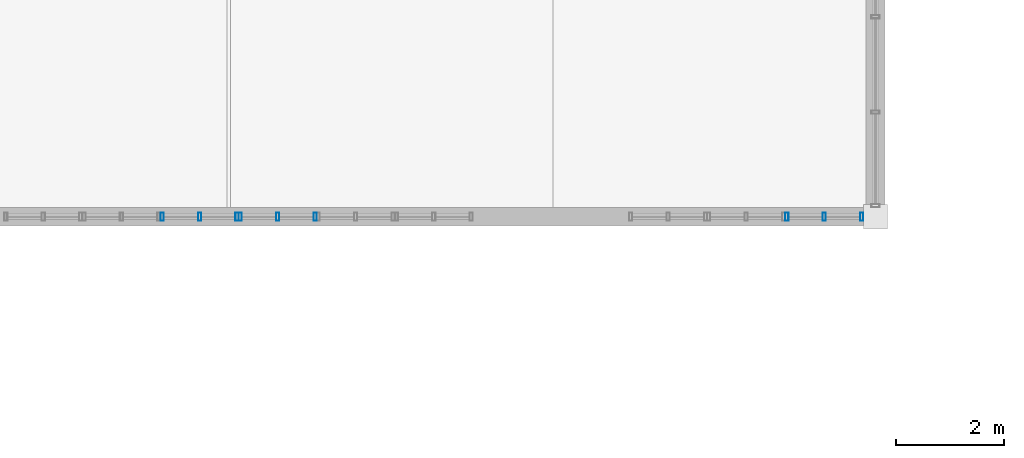
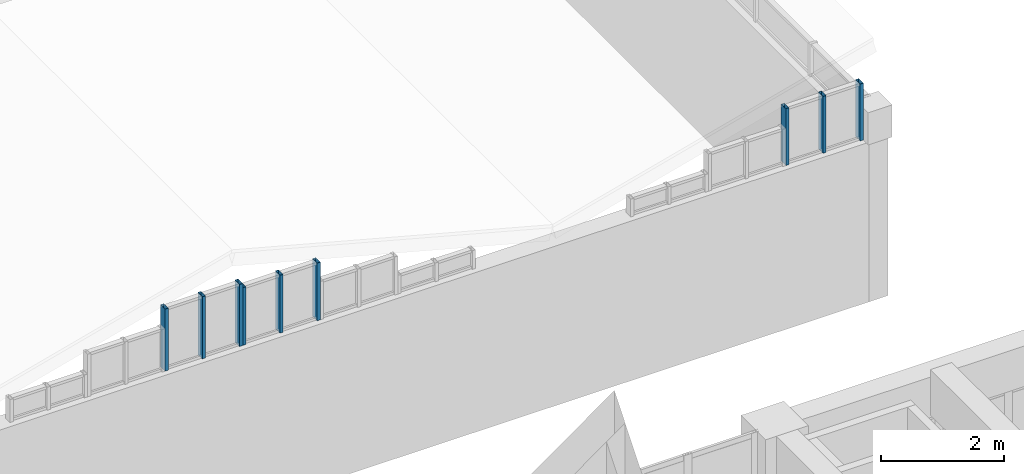
# One storey, part 23 of 92: 9 members, 3 elements without a shape of their own.
"""IFC4 building model written with IfcOpenShell, lengths in metres."""

import ifcopenshell
import ifcopenshell.guid

model = None  # the IFC model being written
_history = None  # IfcOwnerHistory: only IFC2X3 demands one
_inside = {}  # id of a spatial element -> (the spatial element, [elements in it])
_under = {}  # id of a project, library or spatial element -> (it, [spatial elements below it])
_declared = {}  # id of a project -> (the project, [libraries it declares])
_typed = {}  # id of a type object -> (the type object, [elements of that type])
_made_of = {}  # id of a material, layer set ... -> (it, [elements and type objects made of it])


def new_model(schema):
    """Start an empty IFC model of exactly this schema.

    Asked for "IFC4X3", IfcOpenShell would pick the latest addendum, in which some entities
    have other attributes; the version numbers below select the first issue.
    IFC2X3 requires an IfcOwnerHistory on every rooted entity: one is made here for all.
    """
    global model, _history
    if schema == "IFC4X3":
        model = ifcopenshell.file(schema_version=(4, 3, 0, 0))
    else:
        model = ifcopenshell.file(schema=schema)
    _inside.clear()
    _under.clear()
    _declared.clear()
    _typed.clear()
    _made_of.clear()
    _history = None
    if model.schema == "IFC2X3":
        org = make("IfcOrganization", Name="unknown")
        user = make(
            "IfcPersonAndOrganization",
            ThePerson=make("IfcPerson", FamilyName="unknown"),
            TheOrganization=org,
        )
        app = make(
            "IfcApplication",
            ApplicationDeveloper=org,
            Version="unknown",
            ApplicationFullName="unknown",
            ApplicationIdentifier="unknown",
        )
        _history = make(
            "IfcOwnerHistory",
            OwningUser=user,
            OwningApplication=app,
            ChangeAction="ADDED",
            CreationDate=0,
        )
    return model


def make(cls, **values):
    """One entity of the class cls with the attributes given. An attribute that is None is left unset."""
    return model.create_entity(
        cls, **{name: value for name, value in values.items() if value is not None}
    )


def rooted(cls, **values):
    """An entity with a GlobalId (a new one), such as an element, a storey or a relation."""
    return make(cls, GlobalId=ifcopenshell.guid.new(), OwnerHistory=_history, **values)


def si_unit(unit_type, name, prefix=None):
    """IfcSIUnit, for example si_unit("LENGTHUNIT", "METRE", prefix="MILLI")."""
    return make("IfcSIUnit", UnitType=unit_type, Prefix=prefix, Name=name)


def assignment(units):
    """IfcUnitAssignment: the units of a project."""
    return None if units is None else make("IfcUnitAssignment", Units=units)


def point(xyz):
    """IfcCartesianPoint."""
    return None if xyz is None else make("IfcCartesianPoint", Coordinates=xyz)


def direction(xyz):
    """IfcDirection."""
    return None if xyz is None else make("IfcDirection", DirectionRatios=xyz)


def frame(location, z_axis=None, x_axis=None):
    """IfcAxis2Placement3D, a coordinate frame: its origin and axes. An axis left out is left unset."""
    return make(
        "IfcAxis2Placement3D",
        Location=point(location),
        Axis=direction(z_axis),
        RefDirection=direction(x_axis),
    )


def frame_2d(location, x_axis=None):
    """IfcAxis2Placement2D, a coordinate frame in the plane: its origin and x axis."""
    return make(
        "IfcAxis2Placement2D", Location=point(location), RefDirection=direction(x_axis)
    )


def origin():
    """The frame at (0, 0, 0) with its axes left unset."""
    return frame((0.0, 0.0, 0.0))


def origin_2d():
    """The frame at (0, 0) in the plane with its x axis left unset."""
    return frame_2d((0.0, 0.0))


def place(relative_to, where):
    """IfcLocalPlacement: puts the frame where relative to a parent placement (None: the world)."""
    return make(
        "IfcLocalPlacement", PlacementRelTo=relative_to, RelativePlacement=where
    )


def context(
    kind, dimensions, precision=None, world=None, true_north=None, identifier=None
):
    """IfcGeometricRepresentationContext, for example the 3D "Model" context."""
    return make(
        "IfcGeometricRepresentationContext",
        ContextIdentifier=identifier,
        ContextType=kind,
        CoordinateSpaceDimension=dimensions,
        Precision=precision,
        WorldCoordinateSystem=world,
        TrueNorth=true_north,
    )


def subcontext(parent, identifier, kind, view, scale=None):
    """IfcGeometricRepresentationSubContext, for example "Body" below "Model"."""
    return make(
        "IfcGeometricRepresentationSubContext",
        ContextIdentifier=identifier,
        ContextType=kind,
        ParentContext=parent,
        TargetScale=scale,
        TargetView=view,
    )


def project(units=None, contexts=None):
    """IfcProject with its units and contexts."""
    return rooted(
        "IfcProject",
        Name="project",
        RepresentationContexts=contexts,
        UnitsInContext=assignment(units),
    )


def spatial(cls, under=None, at=None, **own):
    """A site, building, storey or space (cls), placed at a placement, below another one or the project."""
    s = rooted(cls, ObjectPlacement=at, **own)
    if under is not None:
        _under.setdefault(under.id(), (under, []))[1].append(s)
    return s


def profile(cls, at=None, kind="AREA", **sizes):
    """A parametric profile (cls). Its sizes go by their IFC names, for example OverallWidth=200.0."""
    return make(cls, ProfileType=kind, Position=at, **sizes)


def hollow_rectangle(**sizes):
    """IfcRectangleHollowProfileDef."""
    return profile("IfcRectangleHollowProfileDef", **sizes)


def extrude(swept, where, along, depth):
    """IfcExtrudedAreaSolid: the profile swept, set in the frame where, extruded along a direction by depth."""
    return make(
        "IfcExtrudedAreaSolid",
        SweptArea=swept,
        Position=where,
        ExtrudedDirection=direction(along),
        Depth=depth,
    )


def shape(context_of_items, identifier, shape_type, items):
    """IfcShapeRepresentation: the items that make up one representation, for example the "Body"."""
    return make(
        "IfcShapeRepresentation",
        ContextOfItems=context_of_items,
        RepresentationIdentifier=identifier,
        RepresentationType=shape_type,
        Items=items,
    )


def material(Name=None, Category=None):
    """IfcMaterial."""
    return make("IfcMaterial", Name=Name, Category=Category)


def material_profile(
    of_material, cross_section, Name=None, Category=None, Priority=None
):
    """IfcMaterialProfile: a cross section and its material."""
    return make(
        "IfcMaterialProfile",
        Name=Name,
        Material=of_material,
        Profile=cross_section,
        Priority=Priority,
        Category=Category,
    )


def profile_set(profiles, Name=None, composite=None):
    """IfcMaterialProfileSet."""
    return make(
        "IfcMaterialProfileSet",
        Name=Name,
        MaterialProfiles=profiles,
        CompositeProfile=composite,
    )


def made_of(thing, what):
    """Note that an element or type object is made of a material, layer set ...; save() writes the relation."""
    if what is not None:
        _made_of.setdefault(what.id(), (what, []))[1].append(thing)
    return thing


def type_object(cls, material=None, **own):
    """A type object (cls), such as IfcWallType, which elements share."""
    return made_of(rooted(cls, **own), material)


def element(
    cls,
    number,
    at=None,
    inside=None,
    cuts=None,
    type_object=None,
    material=None,
    context=None,
    identifier="Body",
    shape_type=None,
    held_by="IfcProductDefinitionShape",
    body=None,
    shapes=None,
    **own,
):
    """One element of the class cls, such as IfcWall. Its Tag is "e" and its number.

    at: its placement. inside: the storey or other place that contains it. cuts: it is an
    opening in that element (IfcRelVoidsElement). A single representation is given by context,
    identifier, shape_type and body (its items); several are given by shapes. held_by: the class
    of the entity that holds the representations. save() writes the other relations.
    """
    e = rooted(cls, Tag="e%d" % number, ObjectPlacement=at, **own)
    if body is not None:
        shapes = [shape(context, identifier, shape_type, body)]
    if shapes is not None:
        e.Representation = make(held_by, Representations=shapes)
    if inside is not None:
        _inside.setdefault(inside.id(), (inside, []))[1].append(e)
    if cuts is not None:
        rooted(
            "IfcRelVoidsElement", RelatingBuildingElement=cuts, RelatedOpeningElement=e
        )
    if type_object is not None:
        _typed.setdefault(type_object.id(), (type_object, []))[1].append(e)
    return made_of(e, material)


def aggregate(whole, parts):
    """IfcRelAggregates: a whole, such as a stair, and the parts it consists of."""
    return rooted("IfcRelAggregates", RelatingObject=whole, RelatedObjects=parts)


def save(model, path):
    """Write the relations noted so far, then the file.

    IfcRelAggregates (storeys below a building ...), IfcRelContainedInSpatialStructure (elements
    in a storey), IfcRelDefinesByType, IfcRelAssociatesMaterial and IfcRelDeclares: one each for
    every whole, place, type object, material and project.
    """
    for whole, parts in _under.values():
        aggregate(whole, parts)
    for where, things in _inside.values():
        rooted(
            "IfcRelContainedInSpatialStructure",
            RelatedElements=things,
            RelatingStructure=where,
        )
    for kind, things in _typed.values():
        rooted("IfcRelDefinesByType", RelatedObjects=things, RelatingType=kind)
    for what, things in _made_of.values():
        rooted("IfcRelAssociatesMaterial", RelatedObjects=things, RelatingMaterial=what)
    for by, libraries in _declared.values():
        rooted("IfcRelDeclares", RelatingContext=by, RelatedDefinitions=libraries)
    model.write(path)


model = new_model("IFC4")

# Units and contexts
model_context = context("Model", 3, precision=1e-05, world=origin(), true_north=direction((0.0, 1.0)))
body_context = subcontext(model_context, "Body", "Model", "MODEL_VIEW")
ifc_project = project(units=[si_unit("LENGTHUNIT", "METRE"), si_unit("AREAUNIT", "SQUARE_METRE"), si_unit("VOLUMEUNIT", "CUBIC_METRE"), si_unit("PLANEANGLEUNIT", "RADIAN"), si_unit("MASSUNIT", "GRAM", prefix="KILO")], contexts=[model_context])

# Site, building, storey
site_placement = place(None, origin())
site = spatial("IfcSite", under=ifc_project, at=site_placement, CompositionType="ELEMENT")
building_placement = place(site_placement, origin())
building = spatial("IfcBuilding", under=site, at=building_placement, Name="Laocheng Heights Fire and Rescue Headquarters", CompositionType="ELEMENT")
storey_placement = place(building_placement, frame((0.0, 0.0, 12.60009765625)))
storey = spatial("IfcBuildingStorey", under=building, at=storey_placement, Name="L03", CompositionType="ELEMENT", Elevation=12.60009765625)

# Curtain wall, members
ifc_material_1 = material(Name="Dark anodised aluminium unitised curtain wall, low-e double glazing", Category="aluminium")
curtain_wall_type_1 = type_object("IfcCurtainWallType", Name="CW 1452 x 1228 THEATRE GABLE UNIT", PredefinedType="NOTDEFINED", material=ifc_material_1)
curtain_wall_1_placement = place(storey_placement, origin())
curtain_wall_1 = element("IfcCurtainWall", 1, at=curtain_wall_1_placement, inside=storey, type_object=curtain_wall_type_1, Name="X8-V THEATRE SOUTH GABLE 4", PredefinedType="NOTDEFINED")
ifc_material_2 = material(Name="Dark anodised aluminium 6063-T5 extrusion", Category="aluminium")
ifc_material_profile = material_profile(ifc_material_2, hollow_rectangle(XDim=0.14990234375, YDim=0.06005859375, WallThickness=0.0029296875, at=origin_2d()), Name="AL MULLION 150x60x3 THEATRE GABLE UNIT")
ifc_profile_set = profile_set([ifc_material_profile], Name="Dark anodised aluminium 6063-T5 extrusion")
member_type = type_object("IfcMemberType", Name="AL MULLION 150x60x3 THEATRE GABLE UNIT", PredefinedType="MULLION", material=ifc_profile_set)
member_1_placement = place(storey_placement, frame((16.736083984375, 36.0, 3.158447265625), z_axis=(0.0, 0.0, 1.0), x_axis=(0.0, 1.0, 0.0)))
member_1 = element("IfcMember", 2, at=member_1_placement, type_object=member_type, Name="X8-V mullion 1", PredefinedType="MULLION", context=body_context, shape_type="SweptSolid", body=[
    extrude(hollow_rectangle(XDim=0.14990234375, YDim=0.06005859375, WallThickness=0.0029296875, at=origin_2d()), origin(), (0.0, 0.0, 1.0), 1.227783203125),
])
member_2_placement = place(storey_placement, frame((17.43212890625, 36.0, 3.158447265625), z_axis=(0.0, 0.0, 1.0), x_axis=(0.0, 1.0, 0.0)))
member_2 = element("IfcMember", 3, at=member_2_placement, type_object=member_type, Name="X8-V mullion 2", PredefinedType="MULLION", context=body_context, shape_type="SweptSolid", body=[
    extrude(hollow_rectangle(XDim=0.14990234375, YDim=0.06005859375, WallThickness=0.0029296875, at=origin_2d()), origin(), (0.0, 0.0, 1.0), 1.227783203125),
])
member_3_placement = place(storey_placement, frame((18.12841796875, 36.0, 3.158447265625), z_axis=(0.0, 0.0, 1.0), x_axis=(0.0, 1.0, 0.0)))
member_3 = element("IfcMember", 4, at=member_3_placement, type_object=member_type, Name="X8-V mullion 3", PredefinedType="MULLION", context=body_context, shape_type="SweptSolid", body=[
    extrude(hollow_rectangle(XDim=0.14990234375, YDim=0.06005859375, WallThickness=0.0029296875, at=origin_2d()), origin(), (0.0, 0.0, 1.0), 1.227783203125),
])
aggregate(curtain_wall_1, [member_1, member_2, member_3])

ifc_material_3 = material(Name="Dark anodised aluminium unitised curtain wall, low-e double glazing", Category="aluminium")
curtain_wall_type_2 = type_object("IfcCurtainWallType", Name="CW 1452 x 1143 THEATRE GABLE UNIT", PredefinedType="NOTDEFINED", material=ifc_material_3)
curtain_wall_2_placement = place(storey_placement, origin())
curtain_wall_2 = element("IfcCurtainWall", 5, at=curtain_wall_2_placement, inside=storey, type_object=curtain_wall_type_2, Name="X9-V THEATRE SOUTH GABLE 5", PredefinedType="NOTDEFINED")
member_4_placement = place(storey_placement, frame((18.188232421875, 36.0, 3.158447265625), z_axis=(0.0, 0.0, 1.0), x_axis=(0.0, 1.0, 0.0)))
member_4 = element("IfcMember", 6, at=member_4_placement, type_object=member_type, Name="X9-V mullion 1", PredefinedType="MULLION", context=body_context, shape_type="SweptSolid", body=[
    extrude(hollow_rectangle(XDim=0.14990234375, YDim=0.06005859375, WallThickness=0.0029296875, at=origin_2d()), origin(), (0.0, 0.0, 1.0), 1.143310546875),
])
member_5_placement = place(storey_placement, frame((18.88427734375, 36.0, 3.158447265625), z_axis=(0.0, 0.0, 1.0), x_axis=(0.0, 1.0, 0.0)))
member_5 = element("IfcMember", 7, at=member_5_placement, type_object=member_type, Name="X9-V mullion 2", PredefinedType="MULLION", context=body_context, shape_type="SweptSolid", body=[
    extrude(hollow_rectangle(XDim=0.14990234375, YDim=0.06005859375, WallThickness=0.0029296875, at=origin_2d()), origin(), (0.0, 0.0, 1.0), 1.143310546875),
])
member_6_placement = place(storey_placement, frame((19.580322265625, 36.0, 3.158447265625), z_axis=(0.0, 0.0, 1.0), x_axis=(0.0, 1.0, 0.0)))
member_6 = element("IfcMember", 8, at=member_6_placement, type_object=member_type, Name="X9-V mullion 3", PredefinedType="MULLION", context=body_context, shape_type="SweptSolid", body=[
    extrude(hollow_rectangle(XDim=0.14990234375, YDim=0.06005859375, WallThickness=0.0029296875, at=origin_2d()), origin(), (0.0, 0.0, 1.0), 1.143310546875),
])
aggregate(curtain_wall_2, [member_4, member_5, member_6])

ifc_material_4 = material(Name="Dark anodised aluminium unitised curtain wall, low-e double glazing", Category="aluminium")
curtain_wall_type_3 = type_object("IfcCurtainWallType", Name="CW 1452 x 1126 THEATRE GABLE UNIT", PredefinedType="NOTDEFINED", material=ifc_material_4)
curtain_wall_3_placement = place(storey_placement, origin())
curtain_wall_3 = element("IfcCurtainWall", 9, at=curtain_wall_3_placement, inside=storey, type_object=curtain_wall_type_3, Name="X14-V THEATRE SOUTH GABLE 12", PredefinedType="NOTDEFINED")
member_7_placement = place(storey_placement, frame((28.352783203125, 36.0, 3.158447265625), z_axis=(0.0, 0.0, 1.0), x_axis=(0.0, 1.0, 0.0)))
member_7 = element("IfcMember", 10, at=member_7_placement, type_object=member_type, Name="X14-V mullion 1", PredefinedType="MULLION", context=body_context, shape_type="SweptSolid", body=[
    extrude(hollow_rectangle(XDim=0.14990234375, YDim=0.06005859375, WallThickness=0.0029296875, at=origin_2d()), origin(), (0.0, 0.0, 1.0), 1.12548828125),
])
member_8_placement = place(storey_placement, frame((29.048828125, 36.0, 3.158447265625), z_axis=(0.0, 0.0, 1.0), x_axis=(0.0, 1.0, 0.0)))
member_8 = element("IfcMember", 11, at=member_8_placement, type_object=member_type, Name="X14-V mullion 2", PredefinedType="MULLION", context=body_context, shape_type="SweptSolid", body=[
    extrude(hollow_rectangle(XDim=0.14990234375, YDim=0.06005859375, WallThickness=0.0029296875, at=origin_2d()), origin(), (0.0, 0.0, 1.0), 1.12548828125),
])
member_9_placement = place(storey_placement, frame((29.7451171875, 36.0, 3.158447265625), z_axis=(0.0, 0.0, 1.0), x_axis=(0.0, 1.0, 0.0)))
member_9 = element("IfcMember", 12, at=member_9_placement, type_object=member_type, Name="X14-V mullion 3", PredefinedType="MULLION", context=body_context, shape_type="SweptSolid", body=[
    extrude(hollow_rectangle(XDim=0.14990234375, YDim=0.06005859375, WallThickness=0.0029296875, at=origin_2d()), origin(), (0.0, 0.0, 1.0), 1.12548828125),
])
aggregate(curtain_wall_3, [member_7, member_8, member_9])

save(model, "model.ifc")
